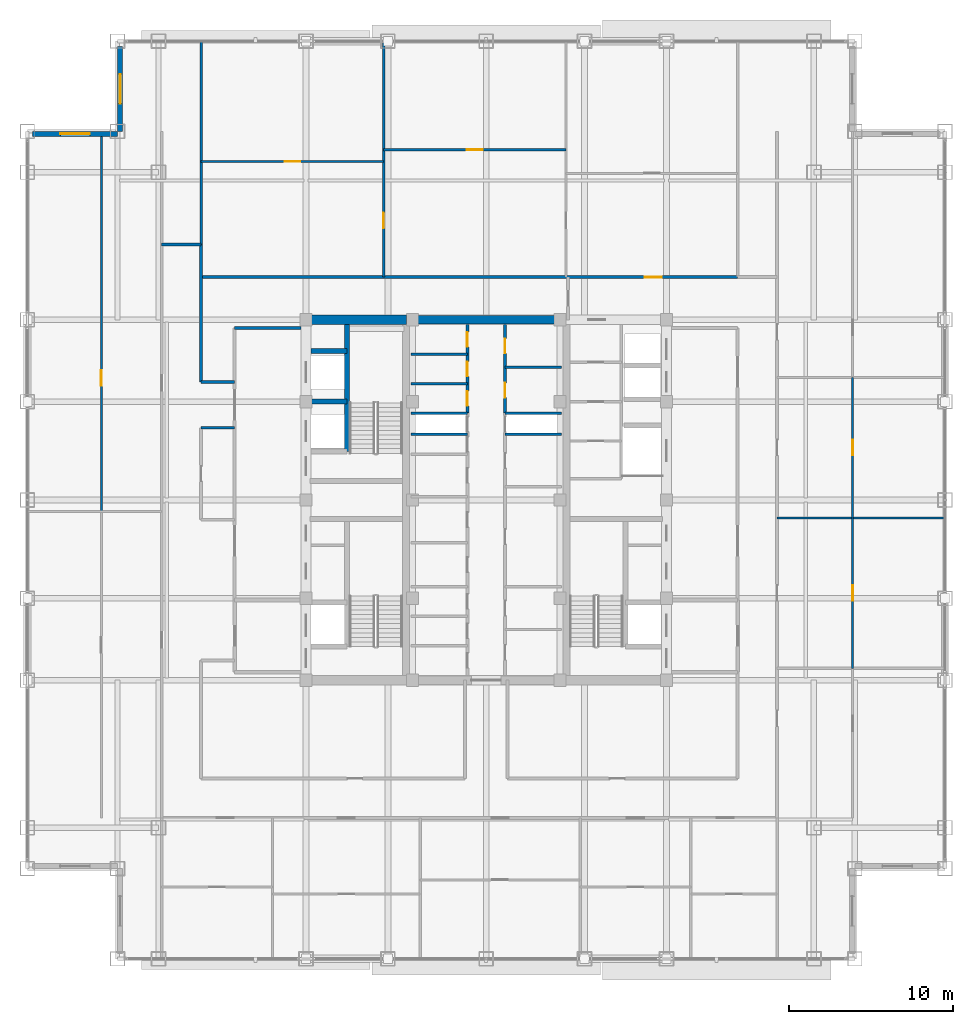
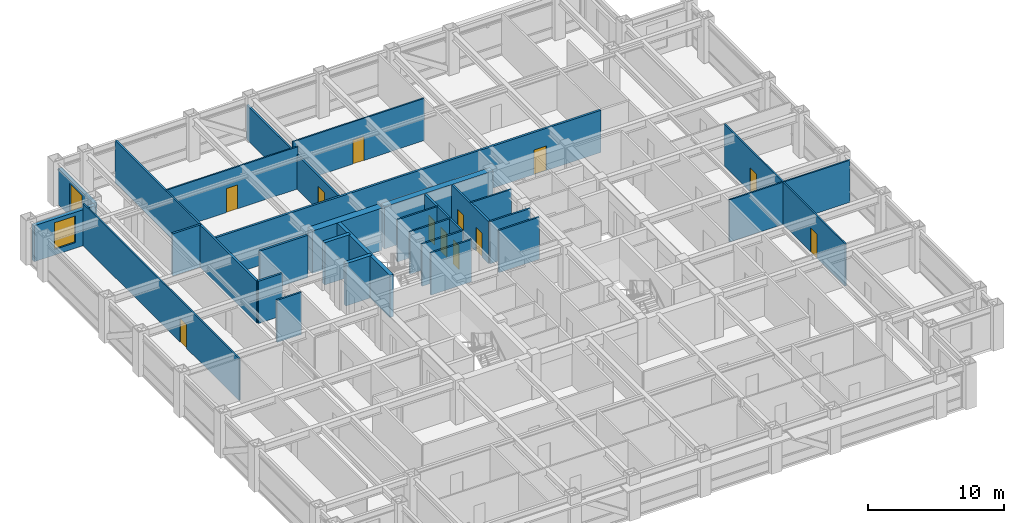
# One storey, part 23 of 29: 30 walls, 12 doors, 2 windows, 14 openings.
"""IFC4 building model written with IfcOpenShell, lengths in metres."""

from ifc_helpers import new_model, si_unit, direction, frame, frame_2d, origin, place, context, subcontext, project, spatial, rectangle, extrude, source, transform, mapped, material, layer, layer_set, type_object, element, fill, save


model = new_model("IFC4")

# Units and contexts
model_context = context("Model", 3, precision=1e-05, world=origin(), true_north=direction((0.0, 1.0)))
body_context = subcontext(model_context, "Body", "Model", "MODEL_VIEW")
ifc_project = project(units=[si_unit("LENGTHUNIT", "METRE"), si_unit("AREAUNIT", "SQUARE_METRE"), si_unit("VOLUMEUNIT", "CUBIC_METRE"), si_unit("PLANEANGLEUNIT", "RADIAN"), si_unit("MASSUNIT", "GRAM", prefix="KILO")], contexts=[model_context])

# Site, building, storey
site_placement = place(None, origin())
site = spatial("IfcSite", under=ifc_project, at=site_placement, CompositionType="ELEMENT")
building_placement = place(site_placement, origin())
building = spatial("IfcBuilding", under=site, at=building_placement, Name="Khorayat Bourse Tower", CompositionType="ELEMENT")
storey_placement = place(building_placement, frame((0.0, 0.0, 277.5)))
storey = spatial("IfcBuildingStorey", under=building, at=storey_placement, Name="L65", CompositionType="ELEMENT", Elevation=277.5)

# Walls
ifc_material_1 = material(Name="Concrete C60/75", Category="concrete")
ifc_layer_1 = layer(ifc_material_1, 0.60009765625)
ifc_layer_set_1 = layer_set([ifc_layer_1], Name="Concrete C60/75")
wall_type_1 = type_object("IfcWallType", Name="WAL-CORE-600", PredefinedType="SHEAR", material=ifc_layer_set_1)
shared_shape_1 = source(origin(), body_context, "Body", "SweptSolid", [
    extrude(rectangle(XDim=5.89990234375, YDim=0.60009765625, at=frame_2d((2.949951171875, 0.0))), origin(), (0.0, 0.0, 1.0), 3.780029296875),
])
wall_1_placement = place(storey_placement, frame((-10.75, 11.0, 0.0), z_axis=(0.0, 0.0, 1.0), x_axis=(1.0, 0.0, 0.0)))
element("IfcWall", 1, at=wall_1_placement, inside=storey, type_object=wall_type_1, Name="L65 Core Shear Wall PIER-WN", PredefinedType="SHEAR", context=body_context, shape_type="MappedRepresentation", body=[
    mapped(shared_shape_1, transform((0.0, 0.0, 0.0), scale=1.0)),
])
ifc_material_2 = material(Name="Concrete C52/65", Category="concrete")
ifc_layer_2 = layer(ifc_material_2, 0.5)
ifc_layer_set_2 = layer_set([ifc_layer_2], Name="Concrete C52/65")
wall_type_2 = type_object("IfcWallType", Name="WAL-CORE-500", PredefinedType="SHEAR", material=ifc_layer_set_2)
shared_shape_2 = source(origin(), body_context, "Body", "SweptSolid", [
    extrude(rectangle(XDim=9.2001953125, YDim=0.5, at=frame_2d((4.60009765625, 0.0))), origin(), (0.0, 0.0, 1.0), 3.780029296875),
])
wall_2_placement = place(storey_placement, frame((-4.60009765625, 11.0, 0.0), z_axis=(0.0, 0.0, 1.0), x_axis=(1.0, 0.0, 0.0)))
element("IfcWall", 2, at=wall_2_placement, inside=storey, type_object=wall_type_2, Name="L65 Core Shear Wall CORE-N", PredefinedType="SHEAR", context=body_context, shape_type="MappedRepresentation", body=[
    mapped(shared_shape_2, transform((0.0, 0.0, 0.0), scale=1.0)),
])

# Wall, opening, window
ifc_material_3 = material(Name="Precast concrete C45/55", Category="concrete")
ifc_layer_3 = layer(ifc_material_3, 0.320068359375)
ifc_layer_set_3 = layer_set([ifc_layer_3], Name="Precast concrete C45/55")
wall_type_3 = type_object("IfcWallType", Name="WAL-EXT-STONE-320", PredefinedType="STANDARD", material=ifc_layer_set_3)
shared_shape_3 = source(origin(), body_context, "Body", "SweptSolid", [
    extrude(rectangle(XDim=5.179931640625, YDim=0.320068359375, at=frame_2d((2.58984375, 0.0))), origin(), (0.0, 0.0, 1.0), 3.23095703125),
])
wall_3_placement = place(storey_placement, frame((-22.340087890625, 22.5, 0.0), z_axis=(0.0, 0.0, 1.0), x_axis=(0.0, 1.0, 0.0)))
wall_3 = element("IfcWall", 3, at=wall_3_placement, inside=storey, type_object=wall_type_3, Name="L65 Re-Entrant Notch Limestone Wall NW-V", PredefinedType="STANDARD", context=body_context, shape_type="MappedRepresentation", body=[
    mapped(shared_shape_3, transform((0.0, 0.0, 0.0), scale=1.0)),
])
shared_shape_4 = source(origin(), body_context, "Body", "SweptSolid", [
    extrude(rectangle(XDim=1.800048828125, YDim=2.39990234375, at=frame_2d((0.89990234375, 1.199951171875))), frame((0.0, 0.169921875, 0.0), z_axis=(0.0, -1.0, 0.0), x_axis=(1.0, 0.0, 0.0)), (0.0, 0.0, 1.0), 0.340087890625),
])
opening_1_placement = place(wall_3_placement, frame((1.68994140625, 0.0, 0.5)))
opening_1 = element("IfcOpeningElement", 4, at=opening_1_placement, cuts=wall_3, Name="Opening WN-04", PredefinedType="OPENING", context=body_context, shape_type="MappedRepresentation", body=[
    mapped(shared_shape_4, transform((0.0, 0.0, 0.0), scale=1.0)),
])
ifc_material_4 = material(Name="Low-E acoustic laminated double glazing", Category="glass")
window_type = type_object("IfcWindowType", Name="WIN-NOTCH-1800x2400", PartitioningType="SINGLE_PANEL", PredefinedType="WINDOW", material=ifc_material_4)
shared_shape_5 = source(origin(), body_context, "Body", "SweptSolid", [
    extrude(rectangle(XDim=1.800048828125, YDim=2.39990234375, at=frame_2d((0.89990234375, 1.199951171875))), frame((0.0, 0.030029296875, 0.0), z_axis=(0.0, -1.0, 0.0), x_axis=(1.0, 0.0, 0.0)), (0.0, 0.0, 1.0), 0.06005859375),
])
window_1_placement = place(opening_1_placement, origin())
window_1 = element("IfcWindow", 5, at=window_1_placement, inside=storey, type_object=window_type, Name="L65 Facade Window 1", OverallHeight=2.39990234375, OverallWidth=1.800048828125, PartitioningType="SINGLE_PANEL", PredefinedType="WINDOW", context=body_context, shape_type="MappedRepresentation", body=[
    mapped(shared_shape_5, transform((0.0, 0.0, 0.0), scale=1.0)),
])
fill(opening_1, window_1)

wall_4_placement = place(storey_placement, frame((-22.5, 22.340087890625, 0.0), z_axis=(0.0, 0.0, 1.0), x_axis=(-1.0, 0.0, 0.0)))
wall_4 = element("IfcWall", 6, at=wall_4_placement, inside=storey, type_object=wall_type_3, Name="L65 Re-Entrant Notch Limestone Wall NW-H", PredefinedType="STANDARD", context=body_context, shape_type="MappedRepresentation", body=[
    mapped(shared_shape_3, transform((0.0, 0.0, 0.0), scale=1.0)),
])
opening_2_placement = place(wall_4_placement, frame((1.68994140625, 0.0, 0.5)))
opening_2 = element("IfcOpeningElement", 7, at=opening_2_placement, cuts=wall_4, Name="Opening WN-04", PredefinedType="OPENING", context=body_context, shape_type="MappedRepresentation", body=[
    mapped(shared_shape_4, transform((0.0, 0.0, 0.0), scale=1.0)),
])
window_2_placement = place(opening_2_placement, origin())
window_2 = element("IfcWindow", 8, at=window_2_placement, inside=storey, type_object=window_type, Name="L65 Facade Window 1", OverallHeight=2.39990234375, OverallWidth=1.800048828125, PartitioningType="SINGLE_PANEL", PredefinedType="WINDOW", context=body_context, shape_type="MappedRepresentation", body=[
    mapped(shared_shape_5, transform((0.0, 0.0, 0.0), scale=1.0)),
])
fill(opening_2, window_2)

# Walls
ifc_material_5 = material(Name="Concrete C50/60", Category="concrete")
ifc_layer_4 = layer(ifc_material_5, 0.300048828125)
ifc_layer_set_4 = layer_set([ifc_layer_4], Name="Concrete C50/60")
wall_type_4 = type_object("IfcWallType", Name="WAL-SHAFT-300", PredefinedType="SHEAR", material=ifc_layer_set_4)
shared_shape_6 = source(origin(), body_context, "Body", "SweptSolid", [
    extrude(rectangle(XDim=2.199951171875, YDim=0.300048828125, at=frame_2d((1.10009765625, 0.0))), origin(), (0.0, 0.0, 1.0), 3.780029296875),
])
for number, where, z_axis, x_axis, name in (
    (9, (-10.699951171875, 6.0, 0.0), (0.0, 0.0, 1.0), (1.0, 0.0, 0.0), "L65 Partition WAL-L65-WPIER-H12"),
    (10, (-10.699951171875, 9.10009765625, 0.0), (0.0, 0.0, 1.0), (1.0, 0.0, 0.0), "L65 Partition WAL-L65-WPIER-H2N"),
):
    element("IfcWall", number, at=place(storey_placement, frame(where, z_axis=z_axis, x_axis=x_axis)), inside=storey, type_object=wall_type_4, Name=name, PredefinedType="SHEAR", context=body_context, shape_type="MappedRepresentation", body=[
        mapped(shared_shape_6, transform((0.0, 0.0, 0.0), scale=1.0)),
    ])
shared_shape_7 = source(origin(), body_context, "Body", "SweptSolid", [
    extrude(rectangle(XDim=7.75, YDim=0.300048828125, at=frame_2d((3.875, 0.0))), origin(), (0.0, 0.0, 1.0), 3.780029296875),
])
wall_5_placement = place(storey_placement, frame((-8.5, 2.949951171875, 0.0), z_axis=(0.0, 0.0, 1.0), x_axis=(0.0, 1.0, 0.0)))
element("IfcWall", 11, at=wall_5_placement, inside=storey, type_object=wall_type_4, Name="L65 Partition WAL-L65-WPIER-ST2S", PredefinedType="SHEAR", context=body_context, shape_type="MappedRepresentation", body=[
    mapped(shared_shape_7, transform((0.0, 0.0, 0.0), scale=1.0)),
])
ifc_material_6 = material(Name="Gypsum plasterboard acoustic stud wall")
ifc_layer_5 = layer(ifc_material_6, 0.179931640625)
ifc_layer_set_5 = layer_set([ifc_layer_5], Name="Gypsum plasterboard acoustic stud wall")
wall_type_5 = type_object("IfcWallType", Name="WAL-PART-CORR-180", PredefinedType="PARTITIONING", material=ifc_layer_set_5)
shared_shape_8 = source(origin(), body_context, "Body", "SweptSolid", [
    extrude(rectangle(XDim=4.050048828125, YDim=0.179931640625, at=frame_2d((2.02490234375, 0.0))), origin(), (0.0, 0.0, 1.0), 3.780029296875),
])
wall_6_placement = place(storey_placement, frame((-15.35009765625, 10.5, 0.0), z_axis=(0.0, 0.0, 1.0), x_axis=(1.0, 0.0, 0.0)))
element("IfcWall", 12, at=wall_6_placement, inside=storey, type_object=wall_type_5, Name="L65 Partition WAL-L65-WLOB-N", PredefinedType="PARTITIONING", context=body_context, shape_type="MappedRepresentation", body=[
    mapped(shared_shape_8, transform((0.0, 0.0, 0.0), scale=1.0)),
])
ifc_material_7 = material(Name="Gypsum plasterboard twin-frame partition")
ifc_layer_6 = layer(ifc_material_7, 0.14990234375)
ifc_layer_set_6 = layer_set([ifc_layer_6], Name="Gypsum plasterboard twin-frame partition")
wall_type_6 = type_object("IfcWallType", Name="WAL-PART-SUITE-150", PredefinedType="PARTITIONING", material=ifc_layer_set_6)
shared_shape_9 = source(origin(), body_context, "Body", "SweptSolid", [
    extrude(rectangle(XDim=3.4501953125, YDim=0.14990234375, at=frame_2d((1.72509765625, 0.0))), origin(), (0.0, 0.0, 1.0), 3.780029296875),
])
for number, where, z_axis, x_axis, name in (
    (13, (-4.60009765625, 4.0, 0.0), (0.0, 0.0, 1.0), (1.0, 0.0, 0.0), "L65 Partition WAL-L65-CRSW-S"),
    (14, (1.14990234375, 4.0, 0.0), (0.0, 0.0, 1.0), (1.0, 0.0, 0.0), "L65 Partition WAL-L65-CRSE-S"),
    (15, (-4.60009765625, 5.300048828125, 0.0), (0.0, 0.0, 1.0), (1.0, 0.0, 0.0), "L65 Partition WAL-L65-FB2-SW"),
    (16, (1.14990234375, 5.300048828125, 0.0), (0.0, 0.0, 1.0), (1.0, 0.0, 0.0), "L65 Partition WAL-L65-FB2-SE"),
):
    element("IfcWall", number, at=place(storey_placement, frame(where, z_axis=z_axis, x_axis=x_axis)), inside=storey, type_object=wall_type_6, Name=name, PredefinedType="PARTITIONING", context=body_context, shape_type="MappedRepresentation", body=[
        mapped(shared_shape_9, transform((0.0, 0.0, 0.0), scale=1.0)),
    ])

# Wall, openings, doors
shared_shape_10 = source(origin(), body_context, "Body", "SweptSolid", [
    extrude(rectangle(XDim=5.39990234375, YDim=0.179931640625, at=frame_2d((2.699951171875, 0.0))), origin(), (0.0, 0.0, 1.0), 3.780029296875),
])
wall_7_placement = place(storey_placement, frame((-1.14990234375, 5.300048828125, 0.0), z_axis=(0.0, 0.0, 1.0), x_axis=(0.0, 1.0, 0.0)))
wall_7 = element("IfcWall", 17, at=wall_7_placement, inside=storey, type_object=wall_type_5, Name="L65 Partition WAL-L65-FB2W-L", PredefinedType="PARTITIONING", context=body_context, shape_type="MappedRepresentation", body=[
    mapped(shared_shape_10, transform((0.0, 0.0, 0.0), scale=1.0)),
])
shared_shape_11 = source(origin(), body_context, "Body", "SweptSolid", [
    extrude(rectangle(XDim=0.89990234375, YDim=2.14990234375, at=frame_2d((0.449951171875, 1.074951171875))), frame((0.0, 0.099853515625, 0.0), z_axis=(0.0, -1.0, 0.0), x_axis=(1.0, 0.0, 0.0)), (0.0, 0.0, 1.0), 0.199951171875),
])
opening_3_placement = place(wall_7_placement, frame((0.449951171875, 0.0, 0.0)))
opening_3 = element("IfcOpeningElement", 18, at=opening_3_placement, cuts=wall_7, Name="Opening DI-06", PredefinedType="OPENING", context=body_context, shape_type="MappedRepresentation", body=[
    mapped(shared_shape_11, transform((0.0, 0.0, 0.0), scale=1.0)),
])
opening_4_placement = place(wall_7_placement, frame((2.25, 0.0, 0.0)))
opening_4 = element("IfcOpeningElement", 19, at=opening_4_placement, cuts=wall_7, Name="Opening DI-06", PredefinedType="OPENING", context=body_context, shape_type="MappedRepresentation", body=[
    mapped(shared_shape_11, transform((0.0, 0.0, 0.0), scale=1.0)),
])
opening_5_placement = place(wall_7_placement, frame((4.050048828125, 0.0, 0.0)))
opening_5 = element("IfcOpeningElement", 20, at=opening_5_placement, cuts=wall_7, Name="Opening DI-06", PredefinedType="OPENING", context=body_context, shape_type="MappedRepresentation", body=[
    mapped(shared_shape_11, transform((0.0, 0.0, 0.0), scale=1.0)),
])
ifc_material_8 = material(Name="Moisture-resistant laminate washroom door")
door_type_1 = type_object("IfcDoorType", Name="DR-INT-WC-900", OperationType="NOTDEFINED", PredefinedType="DOOR", material=ifc_material_8)
shared_shape_12 = source(origin(), body_context, "Body", "SweptSolid", [
    extrude(rectangle(XDim=0.89990234375, YDim=2.14990234375, at=frame_2d((0.449951171875, 1.074951171875))), frame((0.0, 0.02490234375, 0.0), z_axis=(0.0, -1.0, 0.0), x_axis=(1.0, 0.0, 0.0)), (0.0, 0.0, 1.0), 0.050048828125),
])
door_1_placement = place(opening_3_placement, origin())
door_1 = element("IfcDoor", 21, at=door_1_placement, inside=storey, type_object=door_type_1, Name="L65 Custody Vault A Door", OperationType="SINGLE_SWING_RIGHT", OverallHeight=2.14990234375, OverallWidth=0.89990234375, PredefinedType="DOOR", context=body_context, shape_type="MappedRepresentation", body=[
    mapped(shared_shape_12, transform((0.0, 0.0, 0.0), scale=1.0)),
])
fill(opening_3, door_1)
door_2_placement = place(opening_4_placement, origin())
door_2 = element("IfcDoor", 22, at=door_2_placement, inside=storey, type_object=door_type_1, Name="L65 Fiber Patch Room Door", OperationType="SINGLE_SWING_LEFT", OverallHeight=2.14990234375, OverallWidth=0.89990234375, PredefinedType="DOOR", context=body_context, shape_type="MappedRepresentation", body=[
    mapped(shared_shape_12, transform((0.0, 0.0, 0.0), scale=1.0)),
])
fill(opening_4, door_2)
door_3_placement = place(opening_5_placement, origin())
door_3 = element("IfcDoor", 23, at=door_3_placement, inside=storey, type_object=door_type_1, Name="L65 Custody Vault B Door", OperationType="SINGLE_SWING_RIGHT", OverallHeight=2.14990234375, OverallWidth=0.89990234375, PredefinedType="DOOR", context=body_context, shape_type="MappedRepresentation", body=[
    mapped(shared_shape_12, transform((0.0, 0.0, 0.0), scale=1.0)),
])
fill(opening_5, door_3)

wall_8_placement = place(storey_placement, frame((1.14990234375, 5.300048828125, 0.0), z_axis=(0.0, 0.0, 1.0), x_axis=(0.0, 1.0, 0.0)))
wall_8 = element("IfcWall", 24, at=wall_8_placement, inside=storey, type_object=wall_type_5, Name="L65 Partition WAL-L65-FB2E-L", PredefinedType="PARTITIONING", context=body_context, shape_type="MappedRepresentation", body=[
    mapped(shared_shape_10, transform((0.0, 0.0, 0.0), scale=1.0)),
])
opening_6_placement = place(wall_8_placement, frame((0.949951171875, 0.0, 0.0)))
opening_6 = element("IfcOpeningElement", 25, at=opening_6_placement, cuts=wall_8, Name="Opening DI-06", PredefinedType="OPENING", context=body_context, shape_type="MappedRepresentation", body=[
    mapped(shared_shape_11, transform((0.0, 0.0, 0.0), scale=1.0)),
])
opening_7_placement = place(wall_8_placement, frame((3.64990234375, 0.0, 0.0)))
opening_7 = element("IfcOpeningElement", 26, at=opening_7_placement, cuts=wall_8, Name="Opening DI-06", PredefinedType="OPENING", context=body_context, shape_type="MappedRepresentation", body=[
    mapped(shared_shape_11, transform((0.0, 0.0, 0.0), scale=1.0)),
])
door_4_placement = place(opening_6_placement, origin())
door_4 = element("IfcDoor", 27, at=door_4_placement, inside=storey, type_object=door_type_1, Name="L65 Core Pantry Store Door", OperationType="SINGLE_SWING_RIGHT", OverallHeight=2.14990234375, OverallWidth=0.89990234375, PredefinedType="DOOR", context=body_context, shape_type="MappedRepresentation", body=[
    mapped(shared_shape_12, transform((0.0, 0.0, 0.0), scale=1.0)),
])
fill(opening_6, door_4)
door_5_placement = place(opening_7_placement, origin())
door_5 = element("IfcDoor", 28, at=door_5_placement, inside=storey, type_object=door_type_1, Name="L65 Chilled Riser Room Door", OperationType="SINGLE_SWING_LEFT", OverallHeight=2.14990234375, OverallWidth=0.89990234375, PredefinedType="DOOR", context=body_context, shape_type="MappedRepresentation", body=[
    mapped(shared_shape_12, transform((0.0, 0.0, 0.0), scale=1.0)),
])
fill(opening_7, door_5)

# Walls
ifc_material_9 = material(Name="Moisture-resistant masonry partition", Category="masonry")
ifc_layer_7 = layer(ifc_material_9, 0.139892578125)
ifc_layer_set_7 = layer_set([ifc_layer_7], Name="Moisture-resistant masonry partition")
wall_type_7 = type_object("IfcWallType", Name="WAL-PART-WET-140", PredefinedType="PARTITIONING", material=ifc_layer_set_7)
shared_shape_13 = source(origin(), body_context, "Body", "SweptSolid", [
    extrude(rectangle(XDim=3.4501953125, YDim=0.139892578125, at=frame_2d((1.72509765625, 0.0))), origin(), (0.0, 0.0, 1.0), 3.780029296875),
])
for number, where, z_axis, x_axis, name in (
    (29, (-4.60009765625, 7.10009765625, 0.0), (0.0, 0.0, 1.0), (1.0, 0.0, 0.0), "L65 Partition WAL-L65-FB2W-D1"),
    (30, (-4.60009765625, 8.89990234375, 0.0), (0.0, 0.0, 1.0), (1.0, 0.0, 0.0), "L65 Partition WAL-L65-FB2W-D2"),
    (31, (1.14990234375, 8.10009765625, 0.0), (0.0, 0.0, 1.0), (1.0, 0.0, 0.0), "L65 Partition WAL-L65-FB2E-D1"),
):
    element("IfcWall", number, at=place(storey_placement, frame(where, z_axis=z_axis, x_axis=x_axis)), inside=storey, type_object=wall_type_7, Name=name, PredefinedType="PARTITIONING", context=body_context, shape_type="MappedRepresentation", body=[
        mapped(shared_shape_13, transform((0.0, 0.0, 0.0), scale=1.0)),
    ])
shared_shape_14 = source(origin(), body_context, "Body", "SweptSolid", [
    extrude(rectangle(XDim=2.0498046875, YDim=0.14990234375, at=frame_2d((1.02490234375, 0.0))), origin(), (0.0, 0.0, 1.0), 3.780029296875),
])
wall_9_placement = place(storey_placement, frame((-17.39990234375, 4.39990234375, 0.0), z_axis=(0.0, 0.0, 1.0), x_axis=(1.0, 0.0, 0.0)))
element("IfcWall", 32, at=wall_9_placement, inside=storey, type_object=wall_type_6, Name="L65 Partition WAL-L65-PKWM-N", PredefinedType="PARTITIONING", context=body_context, shape_type="MappedRepresentation", body=[
    mapped(shared_shape_14, transform((0.0, 0.0, 0.0), scale=1.0)),
])
shared_shape_15 = source(origin(), body_context, "Body", "SweptSolid", [
    extrude(rectangle(XDim=2.0498046875, YDim=0.179931640625, at=frame_2d((1.02490234375, 0.0))), origin(), (0.0, 0.0, 1.0), 3.780029296875),
])
wall_10_placement = place(storey_placement, frame((-17.39990234375, 7.199951171875, 0.0), z_axis=(0.0, 0.0, 1.0), x_axis=(1.0, 0.0, 0.0)))
element("IfcWall", 33, at=wall_10_placement, inside=storey, type_object=wall_type_5, Name="L65 Partition WAL-L65-THRWN-T", PredefinedType="PARTITIONING", context=body_context, shape_type="MappedRepresentation", body=[
    mapped(shared_shape_15, transform((0.0, 0.0, 0.0), scale=1.0)),
])
shared_shape_16 = source(origin(), body_context, "Body", "SweptSolid", [
    extrude(rectangle(XDim=8.400146484375, YDim=0.179931640625, at=frame_2d((4.2001953125, 0.0))), origin(), (0.0, 0.0, 1.0), 3.780029296875),
])
wall_11_placement = place(storey_placement, frame((-17.39990234375, 7.199951171875, 0.0), z_axis=(0.0, 0.0, 1.0), x_axis=(0.0, 1.0, 0.0)))
element("IfcWall", 34, at=wall_11_placement, inside=storey, type_object=wall_type_5, Name="L65 Partition WAL-L65-THRWN-N", PredefinedType="PARTITIONING", context=body_context, shape_type="MappedRepresentation", body=[
    mapped(shared_shape_16, transform((0.0, 0.0, 0.0), scale=1.0)),
])
shared_shape_17 = source(origin(), body_context, "Body", "SweptSolid", [
    extrude(rectangle(XDim=2.400146484375, YDim=0.179931640625, at=frame_2d((1.2001953125, 0.0))), origin(), (0.0, 0.0, 1.0), 3.780029296875),
])
wall_12_placement = place(storey_placement, frame((-19.800048828125, 15.60009765625, 0.0), z_axis=(0.0, 0.0, 1.0), x_axis=(1.0, 0.0, 0.0)))
element("IfcWall", 35, at=wall_12_placement, inside=storey, type_object=wall_type_5, Name="L65 Partition WAL-L65-GALW-N", PredefinedType="PARTITIONING", context=body_context, shape_type="MappedRepresentation", body=[
    mapped(shared_shape_17, transform((0.0, 0.0, 0.0), scale=1.0)),
])

# Wall, opening, door
shared_shape_18 = source(origin(), body_context, "Body", "SweptSolid", [
    extrude(rectangle(XDim=32.75, YDim=0.179931640625, at=frame_2d((16.375, 0.0))), origin(), (0.0, 0.0, 1.0), 3.780029296875),
])
wall_13_placement = place(storey_placement, frame((-17.39990234375, 13.60009765625, 0.0), z_axis=(0.0, 0.0, 1.0), x_axis=(1.0, 0.0, 0.0)))
wall_13 = element("IfcWall", 36, at=wall_13_placement, inside=storey, type_object=wall_type_5, Name="L65 Partition WAL-L65-NCORR", PredefinedType="PARTITIONING", context=body_context, shape_type="MappedRepresentation", body=[
    mapped(shared_shape_18, transform((0.0, 0.0, 0.0), scale=1.0)),
])
shared_shape_19 = source(origin(), body_context, "Body", "SweptSolid", [
    extrude(rectangle(XDim=1.050048828125, YDim=2.199951171875, at=frame_2d((0.52490234375, 1.10009765625))), frame((0.0, 0.099853515625, 0.0), z_axis=(0.0, -1.0, 0.0), x_axis=(1.0, 0.0, 0.0)), (0.0, 0.0, 1.0), 0.199951171875),
])
opening_8_placement = place(wall_13_placement, frame((27.074951171875, 0.0, 0.0)))
opening_8 = element("IfcOpeningElement", 37, at=opening_8_placement, cuts=wall_13, Name="Opening DI-04", PredefinedType="OPENING", context=body_context, shape_type="MappedRepresentation", body=[
    mapped(shared_shape_19, transform((0.0, 0.0, 0.0), scale=1.0)),
])
ifc_material_10 = material(Name="Fire-rated oak veneer suite entrance door")
door_type_2 = type_object("IfcDoorType", Name="DR-INT-SUITE-1050", OperationType="NOTDEFINED", PredefinedType="DOOR", material=ifc_material_10)
shared_shape_20 = source(origin(), body_context, "Body", "SweptSolid", [
    extrude(rectangle(XDim=1.050048828125, YDim=2.199951171875, at=frame_2d((0.52490234375, 1.10009765625))), frame((0.0, 0.02490234375, 0.0), z_axis=(0.0, -1.0, 0.0), x_axis=(1.0, 0.0, 0.0)), (0.0, 0.0, 1.0), 0.050048828125),
])
door_6_placement = place(opening_8_placement, origin())
door_6 = element("IfcDoor", 38, at=door_6_placement, inside=storey, type_object=door_type_2, Name="L65 Clearing Operations Office N3 Door", OperationType="SINGLE_SWING_RIGHT", OverallHeight=2.199951171875, OverallWidth=1.050048828125, PredefinedType="DOOR", context=body_context, shape_type="MappedRepresentation", body=[
    mapped(shared_shape_20, transform((0.0, 0.0, 0.0), scale=1.0)),
])
fill(opening_8, door_6)

# Walls
shared_shape_21 = source(origin(), body_context, "Body", "SweptSolid", [
    extrude(rectangle(XDim=12.39990234375, YDim=0.14990234375, at=frame_2d((6.199951171875, 0.0))), origin(), (0.0, 0.0, 1.0), 3.780029296875),
])
wall_14_placement = place(storey_placement, frame((-17.39990234375, 15.60009765625, 0.0), z_axis=(0.0, 0.0, 1.0), x_axis=(0.0, 1.0, 0.0)))
element("IfcWall", 39, at=wall_14_placement, inside=storey, type_object=wall_type_6, Name="L65 Partition WAL-L65-NCW-END", PredefinedType="PARTITIONING", context=body_context, shape_type="MappedRepresentation", body=[
    mapped(shared_shape_21, transform((0.0, 0.0, 0.0), scale=1.0)),
])
ifc_material_11 = material(Name="Gypsum plasterboard partition")
ifc_layer_8 = layer(ifc_material_11, 0.125)
ifc_layer_set_8 = layer_set([ifc_layer_8], Name="Gypsum plasterboard partition")
wall_type_8 = type_object("IfcWallType", Name="WAL-PART-ROOM-125", PredefinedType="PARTITIONING", material=ifc_layer_set_8)
shared_shape_22 = source(origin(), body_context, "Body", "SweptSolid", [
    extrude(rectangle(XDim=10.25, YDim=0.125, at=frame_2d((5.125, 0.0))), origin(), (0.0, 0.0, 1.0), 3.780029296875),
])
wall_15_placement = place(storey_placement, frame((17.75, -1.087890625, 0.0), z_axis=(0.0, 0.0, 1.0), x_axis=(1.0, 0.0, 0.0)))
element("IfcWall", 40, at=wall_15_placement, inside=storey, type_object=wall_type_8, Name="L65 Partition WAL-L65-EDV-2", PredefinedType="PARTITIONING", context=body_context, shape_type="MappedRepresentation", body=[
    mapped(shared_shape_22, transform((0.0, 0.0, 0.0), scale=1.0)),
])

# Wall, opening, door
shared_shape_23 = source(origin(), body_context, "Body", "SweptSolid", [
    extrude(rectangle(XDim=11.135009765625, YDim=0.125, at=frame_2d((5.5673828125, 0.0))), origin(), (0.0, 0.0, 1.0), 3.780029296875),
])
wall_16_placement = place(storey_placement, frame((-17.39990234375, 20.656005859375, 0.0), z_axis=(0.0, 0.0, 1.0), x_axis=(1.0, 0.0, 0.0)))
wall_16 = element("IfcWall", 41, at=wall_16_placement, inside=storey, type_object=wall_type_8, Name="L65 Partition WAL-L65-NDP-1", PredefinedType="PARTITIONING", context=body_context, shape_type="MappedRepresentation", body=[
    mapped(shared_shape_23, transform((0.0, 0.0, 0.0), scale=1.0)),
])
shared_shape_24 = source(origin(), body_context, "Body", "SweptSolid", [
    extrude(rectangle(XDim=0.949951171875, YDim=2.14990234375, at=frame_2d((0.47509765625, 1.074951171875))), frame((0.0, 0.072509765625, 0.0), z_axis=(0.0, -1.0, 0.0), x_axis=(1.0, 0.0, 0.0)), (0.0, 0.0, 1.0), 0.14501953125),
])
opening_9_placement = place(wall_16_placement, frame((5.092529296875, 0.0, 0.0)))
opening_9 = element("IfcOpeningElement", 42, at=opening_9_placement, cuts=wall_16, Name="Opening DI-05", PredefinedType="OPENING", context=body_context, shape_type="MappedRepresentation", body=[
    mapped(shared_shape_24, transform((0.0, 0.0, 0.0), scale=1.0)),
])
ifc_material_12 = material(Name="Acoustic oak veneer office door")
door_type_3 = type_object("IfcDoorType", Name="DR-INT-OFFICE-950", OperationType="NOTDEFINED", PredefinedType="DOOR", material=ifc_material_12)
shared_shape_25 = source(origin(), body_context, "Body", "SweptSolid", [
    extrude(rectangle(XDim=0.949951171875, YDim=2.14990234375, at=frame_2d((0.47509765625, 1.074951171875))), frame((0.0, 0.02490234375, 0.0), z_axis=(0.0, -1.0, 0.0), x_axis=(1.0, 0.0, 0.0)), (0.0, 0.0, 1.0), 0.050048828125),
])
door_7_placement = place(opening_9_placement, origin())
door_7 = element("IfcDoor", 43, at=door_7_placement, inside=storey, type_object=door_type_3, Name="L65 Quantitative Research Study N1B Door", OperationType="SINGLE_SWING_RIGHT", OverallHeight=2.14990234375, OverallWidth=0.949951171875, PredefinedType="DOOR", context=body_context, shape_type="MappedRepresentation", body=[
    mapped(shared_shape_25, transform((0.0, 0.0, 0.0), scale=1.0)),
])
fill(opening_9, door_7)

wall_17_placement = place(storey_placement, frame((-6.264892578125, 21.3759765625, 0.0), z_axis=(0.0, 0.0, 1.0), x_axis=(1.0, 0.0, 0.0)))
wall_17 = element("IfcWall", 44, at=wall_17_placement, inside=storey, type_object=wall_type_8, Name="L65 Partition WAL-L65-NDP-2", PredefinedType="PARTITIONING", context=body_context, shape_type="MappedRepresentation", body=[
    mapped(shared_shape_23, transform((0.0, 0.0, 0.0), scale=1.0)),
])
opening_10_placement = place(wall_17_placement, frame((5.092529296875, 0.0, 0.0)))
opening_10 = element("IfcOpeningElement", 45, at=opening_10_placement, cuts=wall_17, Name="Opening DI-05", PredefinedType="OPENING", context=body_context, shape_type="MappedRepresentation", body=[
    mapped(shared_shape_24, transform((0.0, 0.0, 0.0), scale=1.0)),
])
door_8_placement = place(opening_10_placement, origin())
door_8 = element("IfcDoor", 46, at=door_8_placement, inside=storey, type_object=door_type_3, Name="L65 Equities Trading Desk N2B Door", OperationType="SINGLE_SWING_LEFT", OverallHeight=2.14990234375, OverallWidth=0.949951171875, PredefinedType="DOOR", context=body_context, shape_type="MappedRepresentation", body=[
    mapped(shared_shape_25, transform((0.0, 0.0, 0.0), scale=1.0)),
])
fill(opening_10, door_8)

shared_shape_26 = source(origin(), body_context, "Body", "SweptSolid", [
    extrude(rectangle(XDim=14.39990234375, YDim=0.14990234375, at=frame_2d((7.199951171875, 0.0))), origin(), (0.0, 0.0, 1.0), 3.0849609375),
])
wall_18_placement = place(storey_placement, frame((-6.264892578125, 13.60009765625, 0.0), z_axis=(0.0, 0.0, 1.0), x_axis=(0.0, 1.0, 0.0)))
wall_18 = element("IfcWall", 47, at=wall_18_placement, inside=storey, type_object=wall_type_6, Name="L65 Partition WAL-L65-NDV-1", PredefinedType="PARTITIONING", context=body_context, shape_type="MappedRepresentation", body=[
    mapped(shared_shape_26, transform((0.0, 0.0, 0.0), scale=1.0)),
])
shared_shape_27 = source(origin(), body_context, "Body", "SweptSolid", [
    extrude(rectangle(XDim=0.949951171875, YDim=2.14990234375, at=frame_2d((0.47509765625, 1.074951171875))), frame((0.0, 0.0849609375, 0.0), z_axis=(0.0, -1.0, 0.0), x_axis=(1.0, 0.0, 0.0)), (0.0, 0.0, 1.0), 0.169921875),
])
opening_11_placement = place(wall_18_placement, frame((2.98095703125, 0.0, 0.0)))
opening_11 = element("IfcOpeningElement", 48, at=opening_11_placement, cuts=wall_18, Name="Opening DI-05", PredefinedType="OPENING", context=body_context, shape_type="MappedRepresentation", body=[
    mapped(shared_shape_27, transform((0.0, 0.0, 0.0), scale=1.0)),
])
door_9_placement = place(opening_11_placement, origin())
door_9 = element("IfcDoor", 49, at=door_9_placement, inside=storey, type_object=door_type_3, Name="L65 N Suite Link 1", OperationType="SINGLE_SWING_RIGHT", OverallHeight=2.14990234375, OverallWidth=0.949951171875, PredefinedType="DOOR", context=body_context, shape_type="MappedRepresentation", body=[
    mapped(shared_shape_25, transform((0.0, 0.0, 0.0), scale=1.0)),
])
fill(opening_11, door_9)

shared_shape_28 = source(origin(), body_context, "Body", "SweptSolid", [
    extrude(rectangle(XDim=22.89990234375, YDim=0.125, at=frame_2d((11.449951171875, 0.0))), origin(), (0.0, 0.0, 1.0), 3.780029296875),
])
wall_19_placement = place(storey_placement, frame((-23.489990234375, -0.699951171875, 0.0), z_axis=(0.0, 0.0, 1.0), x_axis=(0.0, 1.0, 0.0)))
wall_19 = element("IfcWall", 50, at=wall_19_placement, inside=storey, type_object=wall_type_8, Name="L65 Partition WAL-L65-WDP-2", PredefinedType="PARTITIONING", context=body_context, shape_type="MappedRepresentation", body=[
    mapped(shared_shape_28, transform((0.0, 0.0, 0.0), scale=1.0)),
])
opening_12_placement = place(wall_19_placement, frame((7.675048828125, 0.0, 0.0)))
opening_12 = element("IfcOpeningElement", 51, at=opening_12_placement, cuts=wall_19, Name="Opening DI-05", PredefinedType="OPENING", context=body_context, shape_type="MappedRepresentation", body=[
    mapped(shared_shape_24, transform((0.0, 0.0, 0.0), scale=1.0)),
])
door_10_placement = place(opening_12_placement, origin())
door_10 = element("IfcDoor", 52, at=door_10_placement, inside=storey, type_object=door_type_3, Name="L65 Market Reference Library W2B Door", OperationType="SINGLE_SWING_LEFT", OverallHeight=2.14990234375, OverallWidth=0.949951171875, PredefinedType="DOOR", context=body_context, shape_type="MappedRepresentation", body=[
    mapped(shared_shape_25, transform((0.0, 0.0, 0.0), scale=1.0)),
])
fill(opening_12, door_10)

shared_shape_29 = source(origin(), body_context, "Body", "SweptSolid", [
    extrude(rectangle(XDim=9.18017578125, YDim=0.125, at=frame_2d((4.590087890625, 0.0))), origin(), (0.0, 0.0, 1.0), 3.780029296875),
])
wall_20_placement = place(storey_placement, frame((22.362548828125, -10.26806640625, 0.0), z_axis=(0.0, 0.0, 1.0), x_axis=(0.0, 1.0, 0.0)))
wall_20 = element("IfcWall", 53, at=wall_20_placement, inside=storey, type_object=wall_type_8, Name="L65 Partition WAL-L65-EDP-2", PredefinedType="PARTITIONING", context=body_context, shape_type="MappedRepresentation", body=[
    mapped(shared_shape_29, transform((0.0, 0.0, 0.0), scale=1.0)),
])
opening_13_placement = place(wall_20_placement, frame((4.114990234375, 0.0, 0.0)))
opening_13 = element("IfcOpeningElement", 54, at=opening_13_placement, cuts=wall_20, Name="Opening DI-05", PredefinedType="OPENING", context=body_context, shape_type="MappedRepresentation", body=[
    mapped(shared_shape_24, transform((0.0, 0.0, 0.0), scale=1.0)),
])
door_11_placement = place(opening_13_placement, origin())
door_11 = element("IfcDoor", 55, at=door_11_placement, inside=storey, type_object=door_type_3, Name="L65 Clearing Records Archive Store E2B Door", OperationType="SINGLE_SWING_LEFT", OverallHeight=2.14990234375, OverallWidth=0.949951171875, PredefinedType="DOOR", context=body_context, shape_type="MappedRepresentation", body=[
    mapped(shared_shape_25, transform((0.0, 0.0, 0.0), scale=1.0)),
])
fill(opening_13, door_11)

shared_shape_30 = source(origin(), body_context, "Body", "SweptSolid", [
    extrude(rectangle(XDim=8.56787109375, YDim=0.125, at=frame_2d((4.283935546875, 0.0))), origin(), (0.0, 0.0, 1.0), 3.780029296875),
])
wall_21_placement = place(storey_placement, frame((22.362548828125, -1.087890625, 0.0), z_axis=(0.0, 0.0, 1.0), x_axis=(0.0, 1.0, 0.0)))
wall_21 = element("IfcWall", 56, at=wall_21_placement, inside=storey, type_object=wall_type_8, Name="L65 Partition WAL-L65-EDP-3", PredefinedType="PARTITIONING", context=body_context, shape_type="MappedRepresentation", body=[
    mapped(shared_shape_30, transform((0.0, 0.0, 0.0), scale=1.0)),
])
opening_14_placement = place(wall_21_placement, frame((3.80908203125, 0.0, 0.0)))
opening_14 = element("IfcOpeningElement", 57, at=opening_14_placement, cuts=wall_21, Name="Opening DI-05", PredefinedType="OPENING", context=body_context, shape_type="MappedRepresentation", body=[
    mapped(shared_shape_24, transform((0.0, 0.0, 0.0), scale=1.0)),
])
door_12_placement = place(opening_14_placement, origin())
door_12 = element("IfcDoor", 58, at=door_12_placement, inside=storey, type_object=door_type_3, Name="L65 Occupational First Aid Clinic E3B Door", OperationType="SINGLE_SWING_RIGHT", OverallHeight=2.14990234375, OverallWidth=0.949951171875, PredefinedType="DOOR", context=body_context, shape_type="MappedRepresentation", body=[
    mapped(shared_shape_25, transform((0.0, 0.0, 0.0), scale=1.0)),
])
fill(opening_14, door_12)

save(model, "model.ifc")
